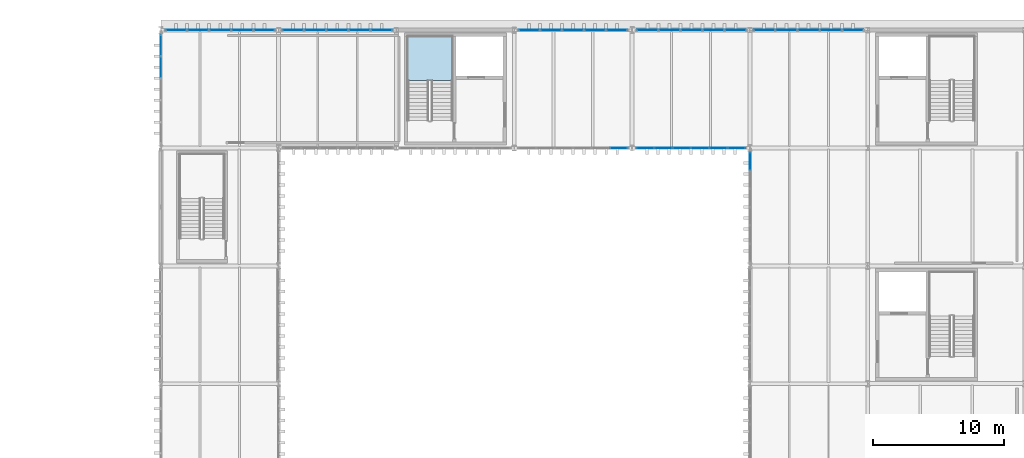
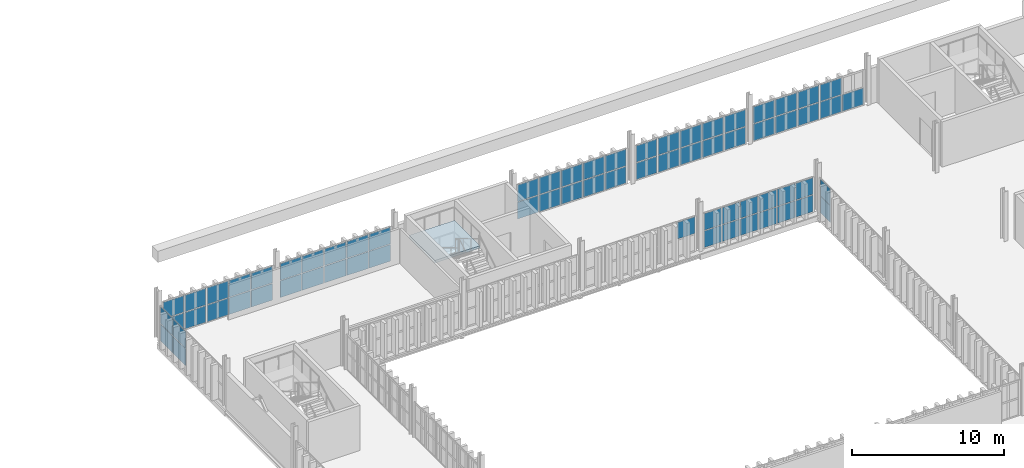
# One storey, part 86 of 102: 68 plates, 1 slab, 10 elements without a shape of their own.
"""IFC4 building model written with IfcOpenShell, lengths in metres."""

from ifc_helpers import new_model, si_unit, direction, frame, origin, origin_2d, place, context, subcontext, project, spatial, polyline, rectangle, outline, extrude, material, layer, layer_set, type_object, element, aggregate, save


model = new_model("IFC4")

# Units and contexts
model_context = context("Model", 3, precision=1e-05, world=origin(), true_north=direction((0.0, 1.0)))
body_context = subcontext(model_context, "Body", "Model", "MODEL_VIEW")
ifc_project = project(units=[si_unit("LENGTHUNIT", "METRE"), si_unit("AREAUNIT", "SQUARE_METRE"), si_unit("VOLUMEUNIT", "CUBIC_METRE"), si_unit("PLANEANGLEUNIT", "RADIAN"), si_unit("MASSUNIT", "GRAM", prefix="KILO")], contexts=[model_context])

# Site, building, storey
site_placement = place(None, origin())
site = spatial("IfcSite", under=ifc_project, at=site_placement, CompositionType="ELEMENT")
building_placement = place(site_placement, origin())
building = spatial("IfcBuilding", under=site, at=building_placement, Name="Barlavento Convention Centre", CompositionType="ELEMENT")
storey_placement = place(building_placement, frame((0.0, 0.0, 22.800048828125)))
storey = spatial("IfcBuildingStorey", under=building, at=storey_placement, Name="L04", CompositionType="ELEMENT", Elevation=22.800048828125)

# Curtain wall, plate
ifc_material_1 = material(Name="Powder-coated aluminium and Low-E glass", Category="aluminium")
ifc_layer_1 = layer(ifc_material_1, 0.179931640625)
ifc_layer_set_1 = layer_set([ifc_layer_1], Name="ARC-CW-PATIO-B")
curtain_wall_type_1 = type_object("IfcCurtainWallType", Name="ARC-CW-PATIO-B", PredefinedType="NOTDEFINED", material=ifc_layer_set_1)
curtain_wall_1_placement = place(storey_placement, origin())
curtain_wall_1 = element("IfcCurtainWall", 1, at=curtain_wall_1_placement, inside=storey, type_object=curtain_wall_type_1, Name="L04 unitised curtain wall CW12", PredefinedType="NOTDEFINED")
ifc_material_2 = material(Name="Double-silver Low-E insulated glass", Category="glass")
ifc_layer_2 = layer(ifc_material_2, 0.028076171875)
ifc_layer_set_2 = layer_set([ifc_layer_2], Name="ARC-CWP-GLZ28")
plate_type = type_object("IfcPlateType", Name="ARC-CWP-GLZ28", PredefinedType="CURTAIN_PANEL", material=ifc_layer_set_2)
plate_1_placement = place(storey_placement, frame((160.995361328125, 90.0, 1.455078125), z_axis=(0.0, 0.0, 1.0), x_axis=(1.0, 0.0, 0.0)))
plate_1 = element("IfcPlate", 2, at=plate_1_placement, type_object=plate_type, Name="CW12 panel 6.2", PredefinedType="CURTAIN_PANEL", context=body_context, shape_type="SweptSolid", body=[
    extrude(rectangle(XDim=1.319091796875, YDim=0.028076171875, at=origin_2d()), origin(), (0.0, 0.0, 1.0), 1.3349609375),
])
aggregate(curtain_wall_1, [plate_1])

# Curtain wall, plates
curtain_wall_2_placement = place(storey_placement, origin())
curtain_wall_2 = element("IfcCurtainWall", 3, at=curtain_wall_2_placement, inside=storey, type_object=curtain_wall_type_1, Name="L04 unitised curtain wall CW12", PredefinedType="NOTDEFINED")
plate_2_placement = place(storey_placement, frame((163.00048828125, 90.0, 0.06005859375), z_axis=(0.0, 0.0, 1.0), x_axis=(1.0, 0.0, 0.0)))
plate_2 = element("IfcPlate", 4, at=plate_2_placement, type_object=plate_type, Name="CW12 panel 1.1", PredefinedType="CURTAIN_PANEL", context=body_context, shape_type="SweptSolid", body=[
    extrude(rectangle(XDim=1.310791015625, YDim=0.028076171875, at=origin_2d()), origin(), (0.0, 0.0, 1.0), 1.3349609375),
])
plate_3_placement = place(storey_placement, frame((163.00048828125, 90.0, 1.455078125), z_axis=(0.0, 0.0, 1.0), x_axis=(1.0, 0.0, 0.0)))
plate_3 = element("IfcPlate", 5, at=plate_3_placement, type_object=plate_type, Name="CW12 panel 1.2", PredefinedType="CURTAIN_PANEL", context=body_context, shape_type="SweptSolid", body=[
    extrude(rectangle(XDim=1.310791015625, YDim=0.028076171875, at=origin_2d()), origin(), (0.0, 0.0, 1.0), 1.3349609375),
])
plate_4_placement = place(storey_placement, frame((164.38623046875, 90.0, 0.06005859375), z_axis=(0.0, 0.0, 1.0), x_axis=(1.0, 0.0, 0.0)))
plate_4 = element("IfcPlate", 6, at=plate_4_placement, type_object=plate_type, Name="CW12 panel 2.1", PredefinedType="CURTAIN_PANEL", context=body_context, shape_type="SweptSolid", body=[
    extrude(rectangle(XDim=1.3408203125, YDim=0.028076171875, at=origin_2d()), origin(), (0.0, 0.0, 1.0), 1.3349609375),
])
plate_5_placement = place(storey_placement, frame((164.38623046875, 90.0, 1.455078125), z_axis=(0.0, 0.0, 1.0), x_axis=(1.0, 0.0, 0.0)))
plate_5 = element("IfcPlate", 7, at=plate_5_placement, type_object=plate_type, Name="CW12 panel 2.2", PredefinedType="CURTAIN_PANEL", context=body_context, shape_type="SweptSolid", body=[
    extrude(rectangle(XDim=1.3408203125, YDim=0.028076171875, at=origin_2d()), origin(), (0.0, 0.0, 1.0), 1.3349609375),
])
plate_6_placement = place(storey_placement, frame((165.787109375, 90.0, 0.06005859375), z_axis=(0.0, 0.0, 1.0), x_axis=(1.0, 0.0, 0.0)))
plate_6 = element("IfcPlate", 8, at=plate_6_placement, type_object=plate_type, Name="CW12 panel 3.1", PredefinedType="CURTAIN_PANEL", context=body_context, shape_type="SweptSolid", body=[
    extrude(rectangle(XDim=1.3408203125, YDim=0.028076171875, at=origin_2d()), origin(), (0.0, 0.0, 1.0), 1.3349609375),
])
plate_7_placement = place(storey_placement, frame((165.787109375, 90.0, 1.455078125), z_axis=(0.0, 0.0, 1.0), x_axis=(1.0, 0.0, 0.0)))
plate_7 = element("IfcPlate", 9, at=plate_7_placement, type_object=plate_type, Name="CW12 panel 3.2", PredefinedType="CURTAIN_PANEL", context=body_context, shape_type="SweptSolid", body=[
    extrude(rectangle(XDim=1.3408203125, YDim=0.028076171875, at=origin_2d()), origin(), (0.0, 0.0, 1.0), 1.3349609375),
])
plate_8_placement = place(storey_placement, frame((167.18798828125, 90.0, 0.06005859375), z_axis=(0.0, 0.0, 1.0), x_axis=(1.0, 0.0, 0.0)))
plate_8 = element("IfcPlate", 10, at=plate_8_placement, type_object=plate_type, Name="CW12 panel 4.1", PredefinedType="CURTAIN_PANEL", context=body_context, shape_type="SweptSolid", body=[
    extrude(rectangle(XDim=1.3408203125, YDim=0.028076171875, at=origin_2d()), origin(), (0.0, 0.0, 1.0), 1.3349609375),
])
plate_9_placement = place(storey_placement, frame((167.18798828125, 90.0, 1.455078125), z_axis=(0.0, 0.0, 1.0), x_axis=(1.0, 0.0, 0.0)))
plate_9 = element("IfcPlate", 11, at=plate_9_placement, type_object=plate_type, Name="CW12 panel 4.2", PredefinedType="CURTAIN_PANEL", context=body_context, shape_type="SweptSolid", body=[
    extrude(rectangle(XDim=1.3408203125, YDim=0.028076171875, at=origin_2d()), origin(), (0.0, 0.0, 1.0), 1.3349609375),
])
plate_10_placement = place(storey_placement, frame((168.5888671875, 90.0, 0.06005859375), z_axis=(0.0, 0.0, 1.0), x_axis=(1.0, 0.0, 0.0)))
plate_10 = element("IfcPlate", 12, at=plate_10_placement, type_object=plate_type, Name="CW12 panel 5.1", PredefinedType="CURTAIN_PANEL", context=body_context, shape_type="SweptSolid", body=[
    extrude(rectangle(XDim=1.3408203125, YDim=0.028076171875, at=origin_2d()), origin(), (0.0, 0.0, 1.0), 1.3349609375),
])
plate_11_placement = place(storey_placement, frame((168.5888671875, 90.0, 1.455078125), z_axis=(0.0, 0.0, 1.0), x_axis=(1.0, 0.0, 0.0)))
plate_11 = element("IfcPlate", 13, at=plate_11_placement, type_object=plate_type, Name="CW12 panel 5.2", PredefinedType="CURTAIN_PANEL", context=body_context, shape_type="SweptSolid", body=[
    extrude(rectangle(XDim=1.3408203125, YDim=0.028076171875, at=origin_2d()), origin(), (0.0, 0.0, 1.0), 1.3349609375),
])
plate_12_placement = place(storey_placement, frame((169.974609375, 90.0, 0.06005859375), z_axis=(0.0, 0.0, 1.0), x_axis=(1.0, 0.0, 0.0)))
plate_12 = element("IfcPlate", 14, at=plate_12_placement, type_object=plate_type, Name="CW12 panel 6.1", PredefinedType="CURTAIN_PANEL", context=body_context, shape_type="SweptSolid", body=[
    extrude(rectangle(XDim=1.310791015625, YDim=0.028076171875, at=origin_2d()), origin(), (0.0, 0.0, 1.0), 1.3349609375),
])
plate_13_placement = place(storey_placement, frame((169.974609375, 90.0, 1.455078125), z_axis=(0.0, 0.0, 1.0), x_axis=(1.0, 0.0, 0.0)))
plate_13 = element("IfcPlate", 15, at=plate_13_placement, type_object=plate_type, Name="CW12 panel 6.2", PredefinedType="CURTAIN_PANEL", context=body_context, shape_type="SweptSolid", body=[
    extrude(rectangle(XDim=1.310791015625, YDim=0.028076171875, at=origin_2d()), origin(), (0.0, 0.0, 1.0), 1.3349609375),
])
aggregate(curtain_wall_2, [plate_2, plate_3, plate_4, plate_5, plate_6, plate_7, plate_8, plate_9, plate_10, plate_11, plate_12, plate_13])

curtain_wall_3_placement = place(storey_placement, origin())
curtain_wall_3 = element("IfcCurtainWall", 16, at=curtain_wall_3_placement, inside=storey, type_object=curtain_wall_type_1, Name="L04 unitised curtain wall CW12", PredefinedType="NOTDEFINED")
plate_14_placement = place(storey_placement, frame((171.0, 88.974609375, 0.06005859375), z_axis=(0.0, 0.0, 1.0), x_axis=(0.0, 1.0, 0.0)))
plate_14 = element("IfcPlate", 17, at=plate_14_placement, type_object=plate_type, Name="CW12 panel 6.1", PredefinedType="CURTAIN_PANEL", context=body_context, shape_type="SweptSolid", body=[
    extrude(rectangle(XDim=1.310791015625, YDim=0.028076171875, at=origin_2d()), origin(), (0.0, 0.0, 1.0), 1.3349609375),
])
plate_15_placement = place(storey_placement, frame((171.0, 88.974609375, 1.455078125), z_axis=(0.0, 0.0, 1.0), x_axis=(0.0, 1.0, 0.0)))
plate_15 = element("IfcPlate", 18, at=plate_15_placement, type_object=plate_type, Name="CW12 panel 6.2", PredefinedType="CURTAIN_PANEL", context=body_context, shape_type="SweptSolid", body=[
    extrude(rectangle(XDim=1.310791015625, YDim=0.028076171875, at=origin_2d()), origin(), (0.0, 0.0, 1.0), 1.3349609375),
])
aggregate(curtain_wall_3, [plate_14, plate_15])

ifc_layer_3 = layer(ifc_material_1, 0.18505859375)
ifc_layer_set_3 = layer_set([ifc_layer_3], Name="ARC-CW-CONF-L04")
curtain_wall_type_2 = type_object("IfcCurtainWallType", Name="ARC-CW-CONF-L04", PredefinedType="NOTDEFINED", material=ifc_layer_set_3)
curtain_wall_4_placement = place(storey_placement, origin())
curtain_wall_4 = element("IfcCurtainWall", 19, at=curtain_wall_4_placement, inside=storey, type_object=curtain_wall_type_2, Name="L04 unitised curtain wall CW09", PredefinedType="NOTDEFINED")
plate_16_placement = place(storey_placement, frame((126.0, 96.16845703125, 0.06005859375), z_axis=(0.0, 0.0, 1.0), x_axis=(0.0, 1.0, 0.0)))
plate_16 = element("IfcPlate", 20, at=plate_16_placement, type_object=plate_type, Name="CW09 panel 4.1", PredefinedType="CURTAIN_PANEL", context=body_context, shape_type="SweptSolid", body=[
    extrude(rectangle(XDim=1.62109375, YDim=0.028076171875, at=origin_2d()), origin(), (0.0, 0.0, 1.0), 1.3349609375),
])
plate_17_placement = place(storey_placement, frame((126.0, 96.16845703125, 1.455078125), z_axis=(0.0, 0.0, 1.0), x_axis=(0.0, 1.0, 0.0)))
plate_17 = element("IfcPlate", 21, at=plate_17_placement, type_object=plate_type, Name="CW09 panel 4.2", PredefinedType="CURTAIN_PANEL", context=body_context, shape_type="SweptSolid", body=[
    extrude(rectangle(XDim=1.62109375, YDim=0.028076171875, at=origin_2d()), origin(), (0.0, 0.0, 1.0), 1.3349609375),
])
plate_18_placement = place(storey_placement, frame((126.0, 97.83447265625, 0.06005859375), z_axis=(0.0, 0.0, 1.0), x_axis=(0.0, 1.0, 0.0)))
plate_18 = element("IfcPlate", 22, at=plate_18_placement, type_object=plate_type, Name="CW09 panel 5.1", PredefinedType="CURTAIN_PANEL", context=body_context, shape_type="SweptSolid", body=[
    extrude(rectangle(XDim=1.591064453125, YDim=0.028076171875, at=origin_2d()), origin(), (0.0, 0.0, 1.0), 1.3349609375),
])
plate_19_placement = place(storey_placement, frame((126.0, 97.83447265625, 1.455078125), z_axis=(0.0, 0.0, 1.0), x_axis=(0.0, 1.0, 0.0)))
plate_19 = element("IfcPlate", 23, at=plate_19_placement, type_object=plate_type, Name="CW09 panel 5.2", PredefinedType="CURTAIN_PANEL", context=body_context, shape_type="SweptSolid", body=[
    extrude(rectangle(XDim=1.591064453125, YDim=0.028076171875, at=origin_2d()), origin(), (0.0, 0.0, 1.0), 1.3349609375),
])
aggregate(curtain_wall_4, [plate_16, plate_17, plate_18, plate_19])

curtain_wall_5_placement = place(storey_placement, origin())
curtain_wall_5 = element("IfcCurtainWall", 24, at=curtain_wall_5_placement, inside=storey, type_object=curtain_wall_type_2, Name="L04 unitised curtain wall CW09", PredefinedType="NOTDEFINED")
plate_20_placement = place(storey_placement, frame((127.178955078125, 99.0, 0.06005859375), z_axis=(0.0, 0.0, 1.0), x_axis=(1.0, 0.0, 0.0)))
plate_20 = element("IfcPlate", 25, at=plate_20_placement, type_object=plate_type, Name="CW09 panel 1.1", PredefinedType="CURTAIN_PANEL", context=body_context, shape_type="SweptSolid", body=[
    extrude(rectangle(XDim=1.597900390625, YDim=0.028076171875, at=origin_2d()), origin(), (0.0, 0.0, 1.0), 1.3349609375),
])
plate_21_placement = place(storey_placement, frame((127.178955078125, 99.0, 1.455078125), z_axis=(0.0, 0.0, 1.0), x_axis=(1.0, 0.0, 0.0)))
plate_21 = element("IfcPlate", 26, at=plate_21_placement, type_object=plate_type, Name="CW09 panel 1.2", PredefinedType="CURTAIN_PANEL", context=body_context, shape_type="SweptSolid", body=[
    extrude(rectangle(XDim=1.597900390625, YDim=0.028076171875, at=origin_2d()), origin(), (0.0, 0.0, 1.0), 1.3349609375),
])
plate_22_placement = place(storey_placement, frame((128.85205078125, 99.0, 0.06005859375), z_axis=(0.0, 0.0, 1.0), x_axis=(1.0, 0.0, 0.0)))
plate_22 = element("IfcPlate", 27, at=plate_22_placement, type_object=plate_type, Name="CW09 panel 2.1", PredefinedType="CURTAIN_PANEL", context=body_context, shape_type="SweptSolid", body=[
    extrude(rectangle(XDim=1.6279296875, YDim=0.028076171875, at=origin_2d()), origin(), (0.0, 0.0, 1.0), 1.3349609375),
])
plate_23_placement = place(storey_placement, frame((128.85205078125, 99.0, 1.455078125), z_axis=(0.0, 0.0, 1.0), x_axis=(1.0, 0.0, 0.0)))
plate_23 = element("IfcPlate", 28, at=plate_23_placement, type_object=plate_type, Name="CW09 panel 2.2", PredefinedType="CURTAIN_PANEL", context=body_context, shape_type="SweptSolid", body=[
    extrude(rectangle(XDim=1.6279296875, YDim=0.028076171875, at=origin_2d()), origin(), (0.0, 0.0, 1.0), 1.3349609375),
])
plate_24_placement = place(storey_placement, frame((130.5400390625, 99.0, 0.06005859375), z_axis=(0.0, 0.0, 1.0), x_axis=(1.0, 0.0, 0.0)))
plate_24 = element("IfcPlate", 29, at=plate_24_placement, type_object=plate_type, Name="CW09 panel 3.1", PredefinedType="CURTAIN_PANEL", context=body_context, shape_type="SweptSolid", body=[
    extrude(rectangle(XDim=1.6279296875, YDim=0.028076171875, at=origin_2d()), origin(), (0.0, 0.0, 1.0), 1.3349609375),
])
plate_25_placement = place(storey_placement, frame((130.5400390625, 99.0, 1.455078125), z_axis=(0.0, 0.0, 1.0), x_axis=(1.0, 0.0, 0.0)))
plate_25 = element("IfcPlate", 30, at=plate_25_placement, type_object=plate_type, Name="CW09 panel 3.2", PredefinedType="CURTAIN_PANEL", context=body_context, shape_type="SweptSolid", body=[
    extrude(rectangle(XDim=1.6279296875, YDim=0.028076171875, at=origin_2d()), origin(), (0.0, 0.0, 1.0), 1.3349609375),
])
plate_26_placement = place(storey_placement, frame((132.22802734375, 99.0, 0.06005859375), z_axis=(0.0, 0.0, 1.0), x_axis=(1.0, 0.0, 0.0)))
plate_26 = element("IfcPlate", 31, at=plate_26_placement, type_object=plate_type, Name="CW09 panel 4.1", PredefinedType="CURTAIN_PANEL", context=body_context, shape_type="SweptSolid", body=[
    extrude(rectangle(XDim=1.6279296875, YDim=0.028076171875, at=origin_2d()), origin(), (0.0, 0.0, 1.0), 1.3349609375),
])
plate_27_placement = place(storey_placement, frame((132.22802734375, 99.0, 1.455078125), z_axis=(0.0, 0.0, 1.0), x_axis=(1.0, 0.0, 0.0)))
plate_27 = element("IfcPlate", 32, at=plate_27_placement, type_object=plate_type, Name="CW09 panel 4.2", PredefinedType="CURTAIN_PANEL", context=body_context, shape_type="SweptSolid", body=[
    extrude(rectangle(XDim=1.6279296875, YDim=0.028076171875, at=origin_2d()), origin(), (0.0, 0.0, 1.0), 1.3349609375),
])
plate_28_placement = place(storey_placement, frame((133.90087890625, 99.0, 0.06005859375), z_axis=(0.0, 0.0, 1.0), x_axis=(1.0, 0.0, 0.0)))
plate_28 = element("IfcPlate", 33, at=plate_28_placement, type_object=plate_type, Name="CW09 panel 5.1", PredefinedType="CURTAIN_PANEL", context=body_context, shape_type="SweptSolid", body=[
    extrude(rectangle(XDim=1.597900390625, YDim=0.028076171875, at=origin_2d()), origin(), (0.0, 0.0, 1.0), 1.3349609375),
])
plate_29_placement = place(storey_placement, frame((133.90087890625, 99.0, 1.455078125), z_axis=(0.0, 0.0, 1.0), x_axis=(1.0, 0.0, 0.0)))
plate_29 = element("IfcPlate", 34, at=plate_29_placement, type_object=plate_type, Name="CW09 panel 5.2", PredefinedType="CURTAIN_PANEL", context=body_context, shape_type="SweptSolid", body=[
    extrude(rectangle(XDim=1.597900390625, YDim=0.028076171875, at=origin_2d()), origin(), (0.0, 0.0, 1.0), 1.3349609375),
])
aggregate(curtain_wall_5, [plate_20, plate_21, plate_22, plate_23, plate_24, plate_25, plate_26, plate_27, plate_28, plate_29])

curtain_wall_6_placement = place(storey_placement, origin())
curtain_wall_6 = element("IfcCurtainWall", 35, at=curtain_wall_6_placement, inside=storey, type_object=curtain_wall_type_2, Name="L04 unitised curtain wall CW09", PredefinedType="NOTDEFINED")
plate_30_placement = place(storey_placement, frame((136.10400390625, 99.0, 0.06005859375), z_axis=(0.0, 0.0, 1.0), x_axis=(1.0, 0.0, 0.0)))
plate_30 = element("IfcPlate", 36, at=plate_30_placement, type_object=plate_type, Name="CW09 panel 1.1", PredefinedType="CURTAIN_PANEL", context=body_context, shape_type="SweptSolid", body=[
    extrude(rectangle(XDim=1.60791015625, YDim=0.028076171875, at=origin_2d()), origin(), (0.0, 0.0, 1.0), 1.3349609375),
])
plate_31_placement = place(storey_placement, frame((136.10400390625, 99.0, 1.455078125), z_axis=(0.0, 0.0, 1.0), x_axis=(1.0, 0.0, 0.0)))
plate_31 = element("IfcPlate", 37, at=plate_31_placement, type_object=plate_type, Name="CW09 panel 1.2", PredefinedType="CURTAIN_PANEL", context=body_context, shape_type="SweptSolid", body=[
    extrude(rectangle(XDim=1.60791015625, YDim=0.028076171875, at=origin_2d()), origin(), (0.0, 0.0, 1.0), 1.3349609375),
])
plate_32_placement = place(storey_placement, frame((137.787109375, 99.0, 0.06005859375), z_axis=(0.0, 0.0, 1.0), x_axis=(1.0, 0.0, 0.0)))
plate_32 = element("IfcPlate", 38, at=plate_32_placement, type_object=plate_type, Name="CW09 panel 2.1", PredefinedType="CURTAIN_PANEL", context=body_context, shape_type="SweptSolid", body=[
    extrude(rectangle(XDim=1.637939453125, YDim=0.028076171875, at=origin_2d()), origin(), (0.0, 0.0, 1.0), 1.3349609375),
])
plate_33_placement = place(storey_placement, frame((137.787109375, 99.0, 1.455078125), z_axis=(0.0, 0.0, 1.0), x_axis=(1.0, 0.0, 0.0)))
plate_33 = element("IfcPlate", 39, at=plate_33_placement, type_object=plate_type, Name="CW09 panel 2.2", PredefinedType="CURTAIN_PANEL", context=body_context, shape_type="SweptSolid", body=[
    extrude(rectangle(XDim=1.637939453125, YDim=0.028076171875, at=origin_2d()), origin(), (0.0, 0.0, 1.0), 1.3349609375),
])
plate_34_placement = place(storey_placement, frame((139.485107421875, 99.0, 0.06005859375), z_axis=(0.0, 0.0, 1.0), x_axis=(1.0, 0.0, 0.0)))
plate_34 = element("IfcPlate", 40, at=plate_34_placement, type_object=plate_type, Name="CW09 panel 3.1", PredefinedType="CURTAIN_PANEL", context=body_context, shape_type="SweptSolid", body=[
    extrude(rectangle(XDim=1.637939453125, YDim=0.028076171875, at=origin_2d()), origin(), (0.0, 0.0, 1.0), 1.3349609375),
])
plate_35_placement = place(storey_placement, frame((139.485107421875, 99.0, 1.455078125), z_axis=(0.0, 0.0, 1.0), x_axis=(1.0, 0.0, 0.0)))
plate_35 = element("IfcPlate", 41, at=plate_35_placement, type_object=plate_type, Name="CW09 panel 3.2", PredefinedType="CURTAIN_PANEL", context=body_context, shape_type="SweptSolid", body=[
    extrude(rectangle(XDim=1.637939453125, YDim=0.028076171875, at=origin_2d()), origin(), (0.0, 0.0, 1.0), 1.3349609375),
])
plate_36_placement = place(storey_placement, frame((141.18310546875, 99.0, 0.06005859375), z_axis=(0.0, 0.0, 1.0), x_axis=(1.0, 0.0, 0.0)))
plate_36 = element("IfcPlate", 42, at=plate_36_placement, type_object=plate_type, Name="CW09 panel 4.1", PredefinedType="CURTAIN_PANEL", context=body_context, shape_type="SweptSolid", body=[
    extrude(rectangle(XDim=1.637939453125, YDim=0.028076171875, at=origin_2d()), origin(), (0.0, 0.0, 1.0), 1.3349609375),
])
plate_37_placement = place(storey_placement, frame((141.18310546875, 99.0, 1.455078125), z_axis=(0.0, 0.0, 1.0), x_axis=(1.0, 0.0, 0.0)))
plate_37 = element("IfcPlate", 43, at=plate_37_placement, type_object=plate_type, Name="CW09 panel 4.2", PredefinedType="CURTAIN_PANEL", context=body_context, shape_type="SweptSolid", body=[
    extrude(rectangle(XDim=1.637939453125, YDim=0.028076171875, at=origin_2d()), origin(), (0.0, 0.0, 1.0), 1.3349609375),
])
plate_38_placement = place(storey_placement, frame((142.865966796875, 99.0, 0.06005859375), z_axis=(0.0, 0.0, 1.0), x_axis=(1.0, 0.0, 0.0)))
plate_38 = element("IfcPlate", 44, at=plate_38_placement, type_object=plate_type, Name="CW09 panel 5.1", PredefinedType="CURTAIN_PANEL", context=body_context, shape_type="SweptSolid", body=[
    extrude(rectangle(XDim=1.60791015625, YDim=0.028076171875, at=origin_2d()), origin(), (0.0, 0.0, 1.0), 1.3349609375),
])
plate_39_placement = place(storey_placement, frame((142.865966796875, 99.0, 1.455078125), z_axis=(0.0, 0.0, 1.0), x_axis=(1.0, 0.0, 0.0)))
plate_39 = element("IfcPlate", 45, at=plate_39_placement, type_object=plate_type, Name="CW09 panel 5.2", PredefinedType="CURTAIN_PANEL", context=body_context, shape_type="SweptSolid", body=[
    extrude(rectangle(XDim=1.60791015625, YDim=0.028076171875, at=origin_2d()), origin(), (0.0, 0.0, 1.0), 1.3349609375),
])
aggregate(curtain_wall_6, [plate_30, plate_31, plate_32, plate_33, plate_34, plate_35, plate_36, plate_37, plate_38, plate_39])

curtain_wall_7_placement = place(storey_placement, origin())
curtain_wall_7 = element("IfcCurtainWall", 46, at=curtain_wall_7_placement, inside=storey, type_object=curtain_wall_type_2, Name="L04 unitised curtain wall CW09", PredefinedType="NOTDEFINED")
plate_40_placement = place(storey_placement, frame((154.1484375, 99.0, 0.06005859375), z_axis=(0.0, 0.0, 1.0), x_axis=(1.0, 0.0, 0.0)))
plate_40 = element("IfcPlate", 47, at=plate_40_placement, type_object=plate_type, Name="CW09 panel 1.1", PredefinedType="CURTAIN_PANEL", context=body_context, shape_type="SweptSolid", body=[
    extrude(rectangle(XDim=1.5869140625, YDim=0.028076171875, at=origin_2d()), origin(), (0.0, 0.0, 1.0), 1.3349609375),
])
plate_41_placement = place(storey_placement, frame((154.1484375, 99.0, 1.455078125), z_axis=(0.0, 0.0, 1.0), x_axis=(1.0, 0.0, 0.0)))
plate_41 = element("IfcPlate", 48, at=plate_41_placement, type_object=plate_type, Name="CW09 panel 1.2", PredefinedType="CURTAIN_PANEL", context=body_context, shape_type="SweptSolid", body=[
    extrude(rectangle(XDim=1.5869140625, YDim=0.028076171875, at=origin_2d()), origin(), (0.0, 0.0, 1.0), 1.3349609375),
])
plate_42_placement = place(storey_placement, frame((155.810546875, 99.0, 0.06005859375), z_axis=(0.0, 0.0, 1.0), x_axis=(1.0, 0.0, 0.0)))
plate_42 = element("IfcPlate", 49, at=plate_42_placement, type_object=plate_type, Name="CW09 panel 2.1", PredefinedType="CURTAIN_PANEL", context=body_context, shape_type="SweptSolid", body=[
    extrude(rectangle(XDim=1.616943359375, YDim=0.028076171875, at=origin_2d()), origin(), (0.0, 0.0, 1.0), 1.3349609375),
])
plate_43_placement = place(storey_placement, frame((155.810546875, 99.0, 1.455078125), z_axis=(0.0, 0.0, 1.0), x_axis=(1.0, 0.0, 0.0)))
plate_43 = element("IfcPlate", 50, at=plate_43_placement, type_object=plate_type, Name="CW09 panel 2.2", PredefinedType="CURTAIN_PANEL", context=body_context, shape_type="SweptSolid", body=[
    extrude(rectangle(XDim=1.616943359375, YDim=0.028076171875, at=origin_2d()), origin(), (0.0, 0.0, 1.0), 1.3349609375),
])
plate_44_placement = place(storey_placement, frame((157.487548828125, 99.0, 0.06005859375), z_axis=(0.0, 0.0, 1.0), x_axis=(1.0, 0.0, 0.0)))
plate_44 = element("IfcPlate", 51, at=plate_44_placement, type_object=plate_type, Name="CW09 panel 3.1", PredefinedType="CURTAIN_PANEL", context=body_context, shape_type="SweptSolid", body=[
    extrude(rectangle(XDim=1.616943359375, YDim=0.028076171875, at=origin_2d()), origin(), (0.0, 0.0, 1.0), 1.3349609375),
])
plate_45_placement = place(storey_placement, frame((157.487548828125, 99.0, 1.455078125), z_axis=(0.0, 0.0, 1.0), x_axis=(1.0, 0.0, 0.0)))
plate_45 = element("IfcPlate", 52, at=plate_45_placement, type_object=plate_type, Name="CW09 panel 3.2", PredefinedType="CURTAIN_PANEL", context=body_context, shape_type="SweptSolid", body=[
    extrude(rectangle(XDim=1.616943359375, YDim=0.028076171875, at=origin_2d()), origin(), (0.0, 0.0, 1.0), 1.3349609375),
])
plate_46_placement = place(storey_placement, frame((159.16455078125, 99.0, 0.06005859375), z_axis=(0.0, 0.0, 1.0), x_axis=(1.0, 0.0, 0.0)))
plate_46 = element("IfcPlate", 53, at=plate_46_placement, type_object=plate_type, Name="CW09 panel 4.1", PredefinedType="CURTAIN_PANEL", context=body_context, shape_type="SweptSolid", body=[
    extrude(rectangle(XDim=1.616943359375, YDim=0.028076171875, at=origin_2d()), origin(), (0.0, 0.0, 1.0), 1.3349609375),
])
plate_47_placement = place(storey_placement, frame((159.16455078125, 99.0, 1.455078125), z_axis=(0.0, 0.0, 1.0), x_axis=(1.0, 0.0, 0.0)))
plate_47 = element("IfcPlate", 54, at=plate_47_placement, type_object=plate_type, Name="CW09 panel 4.2", PredefinedType="CURTAIN_PANEL", context=body_context, shape_type="SweptSolid", body=[
    extrude(rectangle(XDim=1.616943359375, YDim=0.028076171875, at=origin_2d()), origin(), (0.0, 0.0, 1.0), 1.3349609375),
])
plate_48_placement = place(storey_placement, frame((160.826416015625, 99.0, 0.06005859375), z_axis=(0.0, 0.0, 1.0), x_axis=(1.0, 0.0, 0.0)))
plate_48 = element("IfcPlate", 55, at=plate_48_placement, type_object=plate_type, Name="CW09 panel 5.1", PredefinedType="CURTAIN_PANEL", context=body_context, shape_type="SweptSolid", body=[
    extrude(rectangle(XDim=1.5869140625, YDim=0.028076171875, at=origin_2d()), origin(), (0.0, 0.0, 1.0), 1.3349609375),
])
plate_49_placement = place(storey_placement, frame((160.826416015625, 99.0, 1.455078125), z_axis=(0.0, 0.0, 1.0), x_axis=(1.0, 0.0, 0.0)))
plate_49 = element("IfcPlate", 56, at=plate_49_placement, type_object=plate_type, Name="CW09 panel 5.2", PredefinedType="CURTAIN_PANEL", context=body_context, shape_type="SweptSolid", body=[
    extrude(rectangle(XDim=1.5869140625, YDim=0.028076171875, at=origin_2d()), origin(), (0.0, 0.0, 1.0), 1.3349609375),
])
aggregate(curtain_wall_7, [plate_40, plate_41, plate_42, plate_43, plate_44, plate_45, plate_46, plate_47, plate_48, plate_49])

curtain_wall_8_placement = place(storey_placement, origin())
curtain_wall_8 = element("IfcCurtainWall", 57, at=curtain_wall_8_placement, inside=storey, type_object=curtain_wall_type_2, Name="L04 unitised curtain wall CW09", PredefinedType="NOTDEFINED")
plate_50_placement = place(storey_placement, frame((163.178955078125, 99.0, 0.06005859375), z_axis=(0.0, 0.0, 1.0), x_axis=(1.0, 0.0, 0.0)))
plate_50 = element("IfcPlate", 58, at=plate_50_placement, type_object=plate_type, Name="CW09 panel 1.1", PredefinedType="CURTAIN_PANEL", context=body_context, shape_type="SweptSolid", body=[
    extrude(rectangle(XDim=1.597900390625, YDim=0.028076171875, at=origin_2d()), origin(), (0.0, 0.0, 1.0), 1.3349609375),
])
plate_51_placement = place(storey_placement, frame((163.178955078125, 99.0, 1.455078125), z_axis=(0.0, 0.0, 1.0), x_axis=(1.0, 0.0, 0.0)))
plate_51 = element("IfcPlate", 59, at=plate_51_placement, type_object=plate_type, Name="CW09 panel 1.2", PredefinedType="CURTAIN_PANEL", context=body_context, shape_type="SweptSolid", body=[
    extrude(rectangle(XDim=1.597900390625, YDim=0.028076171875, at=origin_2d()), origin(), (0.0, 0.0, 1.0), 1.3349609375),
])
plate_52_placement = place(storey_placement, frame((164.85205078125, 99.0, 0.06005859375), z_axis=(0.0, 0.0, 1.0), x_axis=(1.0, 0.0, 0.0)))
plate_52 = element("IfcPlate", 60, at=plate_52_placement, type_object=plate_type, Name="CW09 panel 2.1", PredefinedType="CURTAIN_PANEL", context=body_context, shape_type="SweptSolid", body=[
    extrude(rectangle(XDim=1.6279296875, YDim=0.028076171875, at=origin_2d()), origin(), (0.0, 0.0, 1.0), 1.3349609375),
])
plate_53_placement = place(storey_placement, frame((164.85205078125, 99.0, 1.455078125), z_axis=(0.0, 0.0, 1.0), x_axis=(1.0, 0.0, 0.0)))
plate_53 = element("IfcPlate", 61, at=plate_53_placement, type_object=plate_type, Name="CW09 panel 2.2", PredefinedType="CURTAIN_PANEL", context=body_context, shape_type="SweptSolid", body=[
    extrude(rectangle(XDim=1.6279296875, YDim=0.028076171875, at=origin_2d()), origin(), (0.0, 0.0, 1.0), 1.3349609375),
])
plate_54_placement = place(storey_placement, frame((166.5400390625, 99.0, 0.06005859375), z_axis=(0.0, 0.0, 1.0), x_axis=(1.0, 0.0, 0.0)))
plate_54 = element("IfcPlate", 62, at=plate_54_placement, type_object=plate_type, Name="CW09 panel 3.1", PredefinedType="CURTAIN_PANEL", context=body_context, shape_type="SweptSolid", body=[
    extrude(rectangle(XDim=1.6279296875, YDim=0.028076171875, at=origin_2d()), origin(), (0.0, 0.0, 1.0), 1.3349609375),
])
plate_55_placement = place(storey_placement, frame((166.5400390625, 99.0, 1.455078125), z_axis=(0.0, 0.0, 1.0), x_axis=(1.0, 0.0, 0.0)))
plate_55 = element("IfcPlate", 63, at=plate_55_placement, type_object=plate_type, Name="CW09 panel 3.2", PredefinedType="CURTAIN_PANEL", context=body_context, shape_type="SweptSolid", body=[
    extrude(rectangle(XDim=1.6279296875, YDim=0.028076171875, at=origin_2d()), origin(), (0.0, 0.0, 1.0), 1.3349609375),
])
plate_56_placement = place(storey_placement, frame((168.22802734375, 99.0, 0.06005859375), z_axis=(0.0, 0.0, 1.0), x_axis=(1.0, 0.0, 0.0)))
plate_56 = element("IfcPlate", 64, at=plate_56_placement, type_object=plate_type, Name="CW09 panel 4.1", PredefinedType="CURTAIN_PANEL", context=body_context, shape_type="SweptSolid", body=[
    extrude(rectangle(XDim=1.6279296875, YDim=0.028076171875, at=origin_2d()), origin(), (0.0, 0.0, 1.0), 1.3349609375),
])
plate_57_placement = place(storey_placement, frame((168.22802734375, 99.0, 1.455078125), z_axis=(0.0, 0.0, 1.0), x_axis=(1.0, 0.0, 0.0)))
plate_57 = element("IfcPlate", 65, at=plate_57_placement, type_object=plate_type, Name="CW09 panel 4.2", PredefinedType="CURTAIN_PANEL", context=body_context, shape_type="SweptSolid", body=[
    extrude(rectangle(XDim=1.6279296875, YDim=0.028076171875, at=origin_2d()), origin(), (0.0, 0.0, 1.0), 1.3349609375),
])
plate_58_placement = place(storey_placement, frame((169.90087890625, 99.0, 0.06005859375), z_axis=(0.0, 0.0, 1.0), x_axis=(1.0, 0.0, 0.0)))
plate_58 = element("IfcPlate", 66, at=plate_58_placement, type_object=plate_type, Name="CW09 panel 5.1", PredefinedType="CURTAIN_PANEL", context=body_context, shape_type="SweptSolid", body=[
    extrude(rectangle(XDim=1.597900390625, YDim=0.028076171875, at=origin_2d()), origin(), (0.0, 0.0, 1.0), 1.3349609375),
])
plate_59_placement = place(storey_placement, frame((169.90087890625, 99.0, 1.455078125), z_axis=(0.0, 0.0, 1.0), x_axis=(1.0, 0.0, 0.0)))
plate_59 = element("IfcPlate", 67, at=plate_59_placement, type_object=plate_type, Name="CW09 panel 5.2", PredefinedType="CURTAIN_PANEL", context=body_context, shape_type="SweptSolid", body=[
    extrude(rectangle(XDim=1.597900390625, YDim=0.028076171875, at=origin_2d()), origin(), (0.0, 0.0, 1.0), 1.3349609375),
])
aggregate(curtain_wall_8, [plate_50, plate_51, plate_52, plate_53, plate_54, plate_55, plate_56, plate_57, plate_58, plate_59])

curtain_wall_9_placement = place(storey_placement, origin())
curtain_wall_9 = element("IfcCurtainWall", 68, at=curtain_wall_9_placement, inside=storey, type_object=curtain_wall_type_2, Name="L04 unitised curtain wall CW09", PredefinedType="NOTDEFINED")
plate_60_placement = place(storey_placement, frame((172.10400390625, 99.0, 0.06005859375), z_axis=(0.0, 0.0, 1.0), x_axis=(1.0, 0.0, 0.0)))
plate_60 = element("IfcPlate", 69, at=plate_60_placement, type_object=plate_type, Name="CW09 panel 1.1", PredefinedType="CURTAIN_PANEL", context=body_context, shape_type="SweptSolid", body=[
    extrude(rectangle(XDim=1.60791015625, YDim=0.028076171875, at=origin_2d()), origin(), (0.0, 0.0, 1.0), 1.3349609375),
])
plate_61_placement = place(storey_placement, frame((172.10400390625, 99.0, 1.455078125), z_axis=(0.0, 0.0, 1.0), x_axis=(1.0, 0.0, 0.0)))
plate_61 = element("IfcPlate", 70, at=plate_61_placement, type_object=plate_type, Name="CW09 panel 1.2", PredefinedType="CURTAIN_PANEL", context=body_context, shape_type="SweptSolid", body=[
    extrude(rectangle(XDim=1.60791015625, YDim=0.028076171875, at=origin_2d()), origin(), (0.0, 0.0, 1.0), 1.3349609375),
])
plate_62_placement = place(storey_placement, frame((173.787109375, 99.0, 0.06005859375), z_axis=(0.0, 0.0, 1.0), x_axis=(1.0, 0.0, 0.0)))
plate_62 = element("IfcPlate", 71, at=plate_62_placement, type_object=plate_type, Name="CW09 panel 2.1", PredefinedType="CURTAIN_PANEL", context=body_context, shape_type="SweptSolid", body=[
    extrude(rectangle(XDim=1.637939453125, YDim=0.028076171875, at=origin_2d()), origin(), (0.0, 0.0, 1.0), 1.3349609375),
])
plate_63_placement = place(storey_placement, frame((173.787109375, 99.0, 1.455078125), z_axis=(0.0, 0.0, 1.0), x_axis=(1.0, 0.0, 0.0)))
plate_63 = element("IfcPlate", 72, at=plate_63_placement, type_object=plate_type, Name="CW09 panel 2.2", PredefinedType="CURTAIN_PANEL", context=body_context, shape_type="SweptSolid", body=[
    extrude(rectangle(XDim=1.637939453125, YDim=0.028076171875, at=origin_2d()), origin(), (0.0, 0.0, 1.0), 1.3349609375),
])
plate_64_placement = place(storey_placement, frame((175.485107421875, 99.0, 0.06005859375), z_axis=(0.0, 0.0, 1.0), x_axis=(1.0, 0.0, 0.0)))
plate_64 = element("IfcPlate", 73, at=plate_64_placement, type_object=plate_type, Name="CW09 panel 3.1", PredefinedType="CURTAIN_PANEL", context=body_context, shape_type="SweptSolid", body=[
    extrude(rectangle(XDim=1.637939453125, YDim=0.028076171875, at=origin_2d()), origin(), (0.0, 0.0, 1.0), 1.3349609375),
])
plate_65_placement = place(storey_placement, frame((175.485107421875, 99.0, 1.455078125), z_axis=(0.0, 0.0, 1.0), x_axis=(1.0, 0.0, 0.0)))
plate_65 = element("IfcPlate", 74, at=plate_65_placement, type_object=plate_type, Name="CW09 panel 3.2", PredefinedType="CURTAIN_PANEL", context=body_context, shape_type="SweptSolid", body=[
    extrude(rectangle(XDim=1.637939453125, YDim=0.028076171875, at=origin_2d()), origin(), (0.0, 0.0, 1.0), 1.3349609375),
])
plate_66_placement = place(storey_placement, frame((177.18310546875, 99.0, 0.06005859375), z_axis=(0.0, 0.0, 1.0), x_axis=(1.0, 0.0, 0.0)))
plate_66 = element("IfcPlate", 75, at=plate_66_placement, type_object=plate_type, Name="CW09 panel 4.1", PredefinedType="CURTAIN_PANEL", context=body_context, shape_type="SweptSolid", body=[
    extrude(rectangle(XDim=1.637939453125, YDim=0.028076171875, at=origin_2d()), origin(), (0.0, 0.0, 1.0), 1.3349609375),
])
plate_67_placement = place(storey_placement, frame((177.18310546875, 99.0, 1.455078125), z_axis=(0.0, 0.0, 1.0), x_axis=(1.0, 0.0, 0.0)))
plate_67 = element("IfcPlate", 76, at=plate_67_placement, type_object=plate_type, Name="CW09 panel 4.2", PredefinedType="CURTAIN_PANEL", context=body_context, shape_type="SweptSolid", body=[
    extrude(rectangle(XDim=1.637939453125, YDim=0.028076171875, at=origin_2d()), origin(), (0.0, 0.0, 1.0), 1.3349609375),
])
plate_68_placement = place(storey_placement, frame((178.865966796875, 99.0, 0.06005859375), z_axis=(0.0, 0.0, 1.0), x_axis=(1.0, 0.0, 0.0)))
plate_68 = element("IfcPlate", 77, at=plate_68_placement, type_object=plate_type, Name="CW09 panel 5.1", PredefinedType="CURTAIN_PANEL", context=body_context, shape_type="SweptSolid", body=[
    extrude(rectangle(XDim=1.60791015625, YDim=0.028076171875, at=origin_2d()), origin(), (0.0, 0.0, 1.0), 1.3349609375),
])
aggregate(curtain_wall_9, [plate_60, plate_61, plate_62, plate_63, plate_64, plate_65, plate_66, plate_67, plate_68])

# Stair, slab
ifc_material_3 = material(Name="Concrete C40/50", Category="concrete")
stair_type = type_object("IfcStairType", Name="ARC-STR-DOG-1620", PredefinedType="HALF_TURN_STAIR", material=ifc_material_3)
stair_placement = place(storey_placement, origin())
stair = element("IfcStair", 78, at=stair_placement, inside=storey, type_object=stair_type, Name="L04 ST09", PredefinedType="HALF_TURN_STAIR")
ifc_layer_4 = layer(ifc_material_3, 0.199951171875)
ifc_layer_set_4 = layer_set([ifc_layer_4], Name="ARC-SLB-LND-200")
slab_type = type_object("IfcSlabType", Name="ARC-SLB-LND-200", PredefinedType="LANDING", material=ifc_layer_set_4)
slab_placement = place(storey_placement, frame((0.0, 0.0, 1.800048828125)))
slab = element("IfcSlab", 79, at=slab_placement, type_object=slab_type, Name="ST09 landing 1", PredefinedType="LANDING", context=body_context, shape_type="SweptSolid", body=[
    extrude(outline(polyline([(148.2900390625, 95.169921875), (148.2900390625, 98.530029296875), (144.85009765625, 98.530029296875), (144.85009765625, 95.169921875), (148.2900390625, 95.169921875)])), origin(), (0.0, 0.0, 1.0), 0.199951171875),
])
aggregate(stair, [slab])

save(model, "model.ifc")
